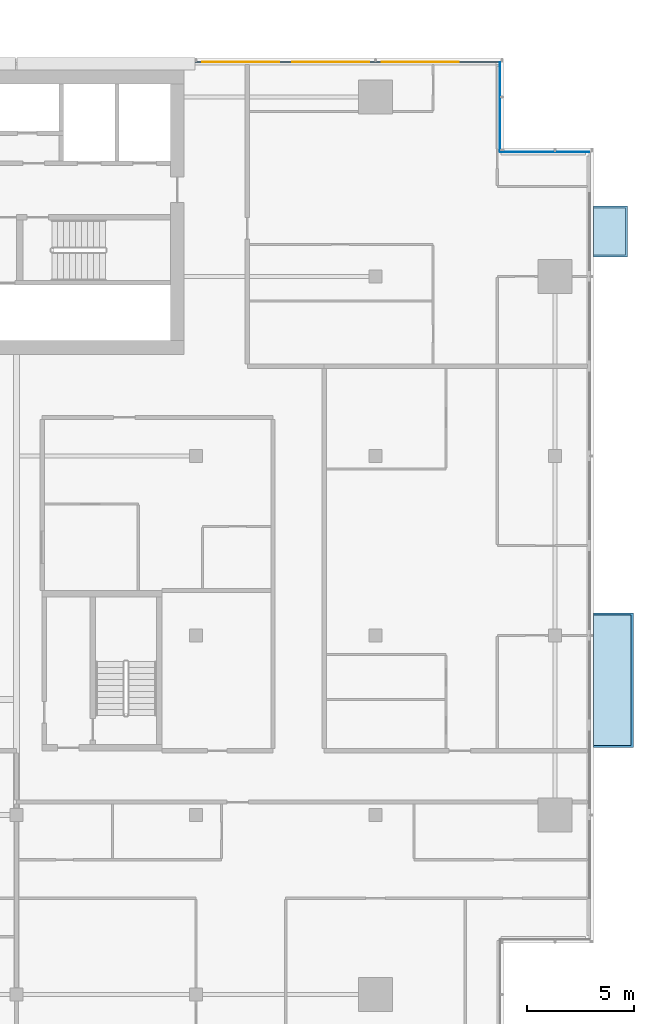
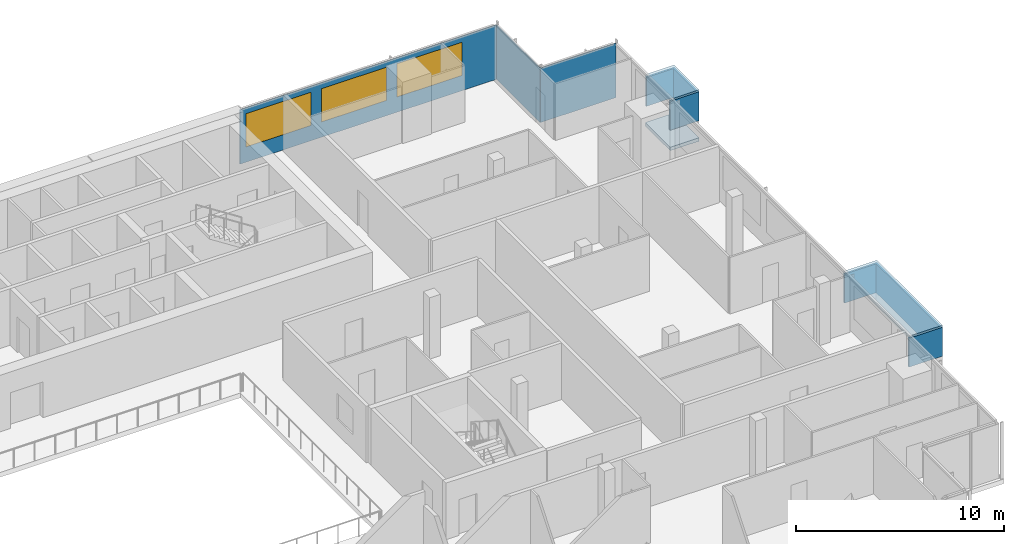
# One storey, part 16 of 27: 7 plates, 3 windows, 1 slab, 3 openings, 3 elements without a shape of their own.
"""IFC4 building model written with IfcOpenShell, lengths in metres."""

import ifcopenshell
import ifcopenshell.guid

model = None  # the IFC model being written
_history = None  # IfcOwnerHistory: only IFC2X3 demands one
_inside = {}  # id of a spatial element -> (the spatial element, [elements in it])
_under = {}  # id of a project, library or spatial element -> (it, [spatial elements below it])
_declared = {}  # id of a project -> (the project, [libraries it declares])
_typed = {}  # id of a type object -> (the type object, [elements of that type])
_made_of = {}  # id of a material, layer set ... -> (it, [elements and type objects made of it])


def new_model(schema):
    """Start an empty IFC model of exactly this schema.

    Asked for "IFC4X3", IfcOpenShell would pick the latest addendum, in which some entities
    have other attributes; the version numbers below select the first issue.
    IFC2X3 requires an IfcOwnerHistory on every rooted entity: one is made here for all.
    """
    global model, _history
    if schema == "IFC4X3":
        model = ifcopenshell.file(schema_version=(4, 3, 0, 0))
    else:
        model = ifcopenshell.file(schema=schema)
    _inside.clear()
    _under.clear()
    _declared.clear()
    _typed.clear()
    _made_of.clear()
    _history = None
    if model.schema == "IFC2X3":
        org = make("IfcOrganization", Name="unknown")
        user = make(
            "IfcPersonAndOrganization",
            ThePerson=make("IfcPerson", FamilyName="unknown"),
            TheOrganization=org,
        )
        app = make(
            "IfcApplication",
            ApplicationDeveloper=org,
            Version="unknown",
            ApplicationFullName="unknown",
            ApplicationIdentifier="unknown",
        )
        _history = make(
            "IfcOwnerHistory",
            OwningUser=user,
            OwningApplication=app,
            ChangeAction="ADDED",
            CreationDate=0,
        )
    return model


def make(cls, **values):
    """One entity of the class cls with the attributes given. An attribute that is None is left unset."""
    return model.create_entity(
        cls, **{name: value for name, value in values.items() if value is not None}
    )


def rooted(cls, **values):
    """An entity with a GlobalId (a new one), such as an element, a storey or a relation."""
    return make(cls, GlobalId=ifcopenshell.guid.new(), OwnerHistory=_history, **values)


def si_unit(unit_type, name, prefix=None):
    """IfcSIUnit, for example si_unit("LENGTHUNIT", "METRE", prefix="MILLI")."""
    return make("IfcSIUnit", UnitType=unit_type, Prefix=prefix, Name=name)


def assignment(units):
    """IfcUnitAssignment: the units of a project."""
    return None if units is None else make("IfcUnitAssignment", Units=units)


def point(xyz):
    """IfcCartesianPoint."""
    return None if xyz is None else make("IfcCartesianPoint", Coordinates=xyz)


def direction(xyz):
    """IfcDirection."""
    return None if xyz is None else make("IfcDirection", DirectionRatios=xyz)


def frame(location, z_axis=None, x_axis=None):
    """IfcAxis2Placement3D, a coordinate frame: its origin and axes. An axis left out is left unset."""
    return make(
        "IfcAxis2Placement3D",
        Location=point(location),
        Axis=direction(z_axis),
        RefDirection=direction(x_axis),
    )


def frame_2d(location, x_axis=None):
    """IfcAxis2Placement2D, a coordinate frame in the plane: its origin and x axis."""
    return make(
        "IfcAxis2Placement2D", Location=point(location), RefDirection=direction(x_axis)
    )


def origin():
    """The frame at (0, 0, 0) with its axes left unset."""
    return frame((0.0, 0.0, 0.0))


def place(relative_to, where):
    """IfcLocalPlacement: puts the frame where relative to a parent placement (None: the world)."""
    return make(
        "IfcLocalPlacement", PlacementRelTo=relative_to, RelativePlacement=where
    )


def context(
    kind, dimensions, precision=None, world=None, true_north=None, identifier=None
):
    """IfcGeometricRepresentationContext, for example the 3D "Model" context."""
    return make(
        "IfcGeometricRepresentationContext",
        ContextIdentifier=identifier,
        ContextType=kind,
        CoordinateSpaceDimension=dimensions,
        Precision=precision,
        WorldCoordinateSystem=world,
        TrueNorth=true_north,
    )


def subcontext(parent, identifier, kind, view, scale=None):
    """IfcGeometricRepresentationSubContext, for example "Body" below "Model"."""
    return make(
        "IfcGeometricRepresentationSubContext",
        ContextIdentifier=identifier,
        ContextType=kind,
        ParentContext=parent,
        TargetScale=scale,
        TargetView=view,
    )


def project(units=None, contexts=None):
    """IfcProject with its units and contexts."""
    return rooted(
        "IfcProject",
        Name="project",
        RepresentationContexts=contexts,
        UnitsInContext=assignment(units),
    )


def spatial(cls, under=None, at=None, **own):
    """A site, building, storey or space (cls), placed at a placement, below another one or the project."""
    s = rooted(cls, ObjectPlacement=at, **own)
    if under is not None:
        _under.setdefault(under.id(), (under, []))[1].append(s)
    return s


def polyline(points):
    """IfcPolyline through the points."""
    return make("IfcPolyline", Points=[point(p) for p in points])


def profile(cls, at=None, kind="AREA", **sizes):
    """A parametric profile (cls). Its sizes go by their IFC names, for example OverallWidth=200.0."""
    return make(cls, ProfileType=kind, Position=at, **sizes)


def rectangle(**sizes):
    """IfcRectangleProfileDef."""
    return profile("IfcRectangleProfileDef", **sizes)


def outline(outer, holes=None, kind="AREA"):
    """IfcArbitraryClosedProfileDef: a profile drawn as a closed curve; with holes, ...WithVoids."""
    if holes is None:
        return make("IfcArbitraryClosedProfileDef", ProfileType=kind, OuterCurve=outer)
    return make(
        "IfcArbitraryProfileDefWithVoids",
        ProfileType=kind,
        OuterCurve=outer,
        InnerCurves=holes,
    )


def extrude(swept, where, along, depth):
    """IfcExtrudedAreaSolid: the profile swept, set in the frame where, extruded along a direction by depth."""
    return make(
        "IfcExtrudedAreaSolid",
        SweptArea=swept,
        Position=where,
        ExtrudedDirection=direction(along),
        Depth=depth,
    )


def shape(context_of_items, identifier, shape_type, items):
    """IfcShapeRepresentation: the items that make up one representation, for example the "Body"."""
    return make(
        "IfcShapeRepresentation",
        ContextOfItems=context_of_items,
        RepresentationIdentifier=identifier,
        RepresentationType=shape_type,
        Items=items,
    )


def material(Name=None, Category=None):
    """IfcMaterial."""
    return make("IfcMaterial", Name=Name, Category=Category)


def layer(
    of_material, thickness, ventilated=None, Name=None, Category=None, Priority=None
):
    """IfcMaterialLayer: one layer of a wall or slab, of a material (None: an air gap)."""
    return make(
        "IfcMaterialLayer",
        Material=of_material,
        LayerThickness=thickness,
        IsVentilated=ventilated,
        Name=Name,
        Category=Category,
        Priority=Priority,
    )


def layer_set(layers, Name=None):
    """IfcMaterialLayerSet."""
    return make("IfcMaterialLayerSet", MaterialLayers=layers, LayerSetName=Name)


def made_of(thing, what):
    """Note that an element or type object is made of a material, layer set ...; save() writes the relation."""
    if what is not None:
        _made_of.setdefault(what.id(), (what, []))[1].append(thing)
    return thing


def type_object(cls, material=None, **own):
    """A type object (cls), such as IfcWallType, which elements share."""
    return made_of(rooted(cls, **own), material)


def element(
    cls,
    number,
    at=None,
    inside=None,
    cuts=None,
    type_object=None,
    material=None,
    context=None,
    identifier="Body",
    shape_type=None,
    held_by="IfcProductDefinitionShape",
    body=None,
    shapes=None,
    **own,
):
    """One element of the class cls, such as IfcWall. Its Tag is "e" and its number.

    at: its placement. inside: the storey or other place that contains it. cuts: it is an
    opening in that element (IfcRelVoidsElement). A single representation is given by context,
    identifier, shape_type and body (its items); several are given by shapes. held_by: the class
    of the entity that holds the representations. save() writes the other relations.
    """
    e = rooted(cls, Tag="e%d" % number, ObjectPlacement=at, **own)
    if body is not None:
        shapes = [shape(context, identifier, shape_type, body)]
    if shapes is not None:
        e.Representation = make(held_by, Representations=shapes)
    if inside is not None:
        _inside.setdefault(inside.id(), (inside, []))[1].append(e)
    if cuts is not None:
        rooted(
            "IfcRelVoidsElement", RelatingBuildingElement=cuts, RelatedOpeningElement=e
        )
    if type_object is not None:
        _typed.setdefault(type_object.id(), (type_object, []))[1].append(e)
    return made_of(e, material)


def fill(opening, filler):
    """IfcRelFillsElement: the door or window that sits in an opening."""
    return rooted(
        "IfcRelFillsElement",
        RelatingOpeningElement=opening,
        RelatedBuildingElement=filler,
    )


def aggregate(whole, parts):
    """IfcRelAggregates: a whole, such as a stair, and the parts it consists of."""
    return rooted("IfcRelAggregates", RelatingObject=whole, RelatedObjects=parts)


def save(model, path):
    """Write the relations noted so far, then the file.

    IfcRelAggregates (storeys below a building ...), IfcRelContainedInSpatialStructure (elements
    in a storey), IfcRelDefinesByType, IfcRelAssociatesMaterial and IfcRelDeclares: one each for
    every whole, place, type object, material and project.
    """
    for whole, parts in _under.values():
        aggregate(whole, parts)
    for where, things in _inside.values():
        rooted(
            "IfcRelContainedInSpatialStructure",
            RelatedElements=things,
            RelatingStructure=where,
        )
    for kind, things in _typed.values():
        rooted("IfcRelDefinesByType", RelatedObjects=things, RelatingType=kind)
    for what, things in _made_of.values():
        rooted("IfcRelAssociatesMaterial", RelatedObjects=things, RelatingMaterial=what)
    for by, libraries in _declared.values():
        rooted("IfcRelDeclares", RelatingContext=by, RelatedDefinitions=libraries)
    model.write(path)


model = new_model("IFC4")

# Units and contexts
model_context = context("Model", 3, precision=1e-05, world=origin(), true_north=direction((0.0, 1.0)))
body_context = subcontext(model_context, "Body", "Model", "MODEL_VIEW")
ifc_project = project(units=[si_unit("LENGTHUNIT", "METRE"), si_unit("AREAUNIT", "SQUARE_METRE"), si_unit("VOLUMEUNIT", "CUBIC_METRE"), si_unit("PLANEANGLEUNIT", "RADIAN"), si_unit("MASSUNIT", "GRAM", prefix="KILO")], contexts=[model_context])

# Site, building, storey
site_placement = place(None, origin())
site = spatial("IfcSite", under=ifc_project, at=site_placement, CompositionType="ELEMENT")
building_placement = place(site_placement, origin())
building = spatial("IfcBuilding", under=site, at=building_placement, Name="Saffron Gate Tower", CompositionType="ELEMENT")
storey_placement = place(building_placement, frame((0.0, 0.0, 234.300048828125)))
storey = spatial("IfcBuildingStorey", under=building, at=storey_placement, Name="L57", CompositionType="ELEMENT", Elevation=234.300048828125)

# Curtain wall, plate, openings, windows
ifc_material_1 = material(Name="Aluminium, bronze anodised", Category="aluminium")
curtain_wall_type_1 = type_object("IfcCurtainWallType", Name="CWS3 curtain wall rear facade", PredefinedType="NOTDEFINED", material=ifc_material_1)
curtain_wall_1_placement = place(storey_placement, origin())
curtain_wall_1 = element("IfcCurtainWall", 1, at=curtain_wall_1_placement, inside=storey, type_object=curtain_wall_type_1, Name="CWS3 run 7", PredefinedType="NOTDEFINED")
ifc_material_2 = material(Name="Fritted grey-tinted laminated glass", Category="glass")
ifc_layer_1 = layer(ifc_material_2, 0.028076171875)
ifc_layer_set_1 = layer_set([ifc_layer_1], Name="CWS3 fixed glass")
plate_type_1 = type_object("IfcPlateType", Name="CWS3 fixed glass", PredefinedType="CURTAIN_PANEL", material=ifc_layer_set_1)
plate_1_placement = place(storey_placement, frame((122.81201171875, 75.426025390625, 0.0), z_axis=(0.0, 0.0, 1.0), x_axis=(-1.0, 0.0, 0.0)))
plate_1 = element("IfcPlate", 2, at=plate_1_placement, type_object=plate_type_1, Name="CWS3 glass panel", PredefinedType="CURTAIN_PANEL", context=body_context, shape_type="SweptSolid", body=[
    extrude(rectangle(XDim=14.2470703125, YDim=0.028076171875, at=frame_2d((7.12353515625, 0.0))), origin(), (0.0, 0.0, 1.0), 3.199951171875),
])
opening_1_placement = place(plate_1_placement, frame((1.912109375, 0.0, 0.89990234375)))
opening_1 = element("IfcOpeningElement", 3, at=opening_1_placement, cuts=plate_1, Name="Opening W1", PredefinedType="OPENING", context=body_context, shape_type="SweptSolid", body=[
    extrude(rectangle(XDim=3.60009765625, YDim=1.949951171875, at=frame_2d((1.800048828125, 0.97509765625))), frame((0.0, 0.02392578125, 0.0), z_axis=(0.0, -1.0, 0.0), x_axis=(1.0, 0.0, 0.0)), (0.0, 0.0, 1.0), 0.048095703125),
])
opening_2_placement = place(plate_1_placement, frame((6.112060546875, 0.0, 0.89990234375)))
opening_2 = element("IfcOpeningElement", 4, at=opening_2_placement, cuts=plate_1, Name="Opening W1", PredefinedType="OPENING", context=body_context, shape_type="SweptSolid", body=[
    extrude(rectangle(XDim=3.60009765625, YDim=1.949951171875, at=frame_2d((1.800048828125, 0.97509765625))), frame((0.0, 0.02392578125, 0.0), z_axis=(0.0, -1.0, 0.0), x_axis=(1.0, 0.0, 0.0)), (0.0, 0.0, 1.0), 0.048095703125),
])
opening_3_placement = place(plate_1_placement, frame((10.31201171875, 0.0, 0.89990234375)))
opening_3 = element("IfcOpeningElement", 5, at=opening_3_placement, cuts=plate_1, Name="Opening W1", PredefinedType="OPENING", context=body_context, shape_type="SweptSolid", body=[
    extrude(rectangle(XDim=3.60009765625, YDim=1.949951171875, at=frame_2d((1.800048828125, 0.97509765625))), frame((0.0, 0.02392578125, 0.0), z_axis=(0.0, -1.0, 0.0), x_axis=(1.0, 0.0, 0.0)), (0.0, 0.0, 1.0), 0.048095703125),
])
ifc_material_3 = material(Name="Fritted bronze-tinted laminated glass in bronze frame", Category="glass")
ifc_layer_2 = layer(ifc_material_3, 0.06005859375)
ifc_layer_set_2 = layer_set([ifc_layer_2], Name="W1 operable panel 3600x1950")
window_type = type_object("IfcWindowType", Name="W1 operable panel 3600x1950", PartitioningType="DOUBLE_PANEL_HORIZONTAL", PredefinedType="WINDOW", material=ifc_layer_set_2)
window_1_placement = place(opening_1_placement, origin())
window_1 = element("IfcWindow", 6, at=window_1_placement, type_object=window_type, Name="W1 operable panel", OverallHeight=1.949951171875, OverallWidth=3.60009765625, PartitioningType="SINGLE_PANEL", PredefinedType="WINDOW", context=body_context, shape_type="SweptSolid", body=[
    extrude(rectangle(XDim=3.60009765625, YDim=1.949951171875, at=frame_2d((1.800048828125, 0.97509765625))), frame((0.0, 0.013671875, 0.0), z_axis=(0.0, -1.0, 0.0), x_axis=(1.0, 0.0, 0.0)), (0.0, 0.0, 1.0), 0.027587890625),
])
fill(opening_1, window_1)
window_2_placement = place(opening_2_placement, origin())
window_2 = element("IfcWindow", 7, at=window_2_placement, type_object=window_type, Name="W1 operable panel", OverallHeight=1.949951171875, OverallWidth=3.60009765625, PartitioningType="SINGLE_PANEL", PredefinedType="WINDOW", context=body_context, shape_type="SweptSolid", body=[
    extrude(rectangle(XDim=3.60009765625, YDim=1.949951171875, at=frame_2d((1.800048828125, 0.97509765625))), frame((0.0, 0.013671875, 0.0), z_axis=(0.0, -1.0, 0.0), x_axis=(1.0, 0.0, 0.0)), (0.0, 0.0, 1.0), 0.027587890625),
])
fill(opening_2, window_2)
window_3_placement = place(opening_3_placement, origin())
window_3 = element("IfcWindow", 8, at=window_3_placement, type_object=window_type, Name="W1 operable panel", OverallHeight=1.949951171875, OverallWidth=3.60009765625, PartitioningType="SINGLE_PANEL", PredefinedType="WINDOW", context=body_context, shape_type="SweptSolid", body=[
    extrude(rectangle(XDim=3.60009765625, YDim=1.949951171875, at=frame_2d((1.800048828125, 0.97509765625))), frame((0.0, 0.013671875, 0.0), z_axis=(0.0, -1.0, 0.0), x_axis=(1.0, 0.0, 0.0)), (0.0, 0.0, 1.0), 0.027587890625),
])
fill(opening_3, window_3)
aggregate(curtain_wall_1, [plate_1, window_1, window_2, window_3])

# Curtain wall, plate
curtain_wall_type_2 = type_object("IfcCurtainWallType", Name="CWS4 curtain wall corner returns", PredefinedType="NOTDEFINED", material=ifc_material_1)
curtain_wall_2_placement = place(storey_placement, origin())
curtain_wall_2 = element("IfcCurtainWall", 9, at=curtain_wall_2_placement, inside=storey, type_object=curtain_wall_type_2, Name="CWS4 run 5", PredefinedType="NOTDEFINED")
ifc_material_4 = material(Name="Fritted bronze-tinted laminated glass", Category="glass")
ifc_layer_3 = layer(ifc_material_4, 0.028076171875)
ifc_layer_set_3 = layer_set([ifc_layer_3], Name="CWS4 fixed glass")
plate_type_2 = type_object("IfcPlateType", Name="CWS4 fixed glass", PredefinedType="CURTAIN_PANEL", material=ifc_layer_set_3)
plate_2_placement = place(storey_placement, frame((127.011962890625, 71.22607421875, 0.0), z_axis=(0.0, 0.0, 1.0), x_axis=(-1.0, 0.0, 0.0)))
plate_2 = element("IfcPlate", 10, at=plate_2_placement, type_object=plate_type_2, Name="CWS4 glass panel", PredefinedType="CURTAIN_PANEL", context=body_context, shape_type="SweptSolid", body=[
    extrude(rectangle(XDim=4.171875, YDim=0.028076171875, at=frame_2d((2.0859375, 0.0))), origin(), (0.0, 0.0, 1.0), 3.199951171875),
])
aggregate(curtain_wall_2, [plate_2])

curtain_wall_3_placement = place(storey_placement, origin())
curtain_wall_3 = element("IfcCurtainWall", 11, at=curtain_wall_3_placement, inside=storey, type_object=curtain_wall_type_2, Name="CWS4 run 6", PredefinedType="NOTDEFINED")
plate_3_placement = place(storey_placement, frame((122.825927734375, 71.239990234375, 0.0), z_axis=(0.0, 0.0, 1.0), x_axis=(0.0, 1.0, 0.0)))
plate_3 = element("IfcPlate", 12, at=plate_3_placement, type_object=plate_type_2, Name="CWS4 glass panel", PredefinedType="CURTAIN_PANEL", context=body_context, shape_type="SweptSolid", body=[
    extrude(rectangle(XDim=4.172119140625, YDim=0.028076171875, at=frame_2d((2.0859375, 0.0))), origin(), (0.0, 0.0, 1.0), 3.199951171875),
])
aggregate(curtain_wall_3, [plate_3])

# Slab
ifc_material_5 = material(Name="Timber deck on bronze frame", Category="wood")
ifc_layer_4 = layer(ifc_material_5, 0.199951171875)
ifc_layer_set_4 = layer_set([ifc_layer_4], Name="WB1 box floor")
slab_type = type_object("IfcSlabType", Name="WB1 box floor", PredefinedType="FLOOR", material=ifc_layer_set_4)
slab_placement = place(storey_placement, frame((0.0, 0.0, -0.199951171875)))
element("IfcSlab", 13, at=slab_placement, inside=storey, type_object=slab_type, Name="WINDOW BOX floor", PredefinedType="FLOOR", context=body_context, shape_type="SweptSolid", body=[
    extrude(outline(polyline([(127.199951171875, 66.300048828125), (127.199951171875, 68.699951171875), (128.800048828125, 68.699951171875), (128.800048828125, 66.300048828125), (127.199951171875, 66.300048828125)])), origin(), (0.0, 0.0, 1.0), 0.199951171875),
])

# Plates
ifc_layer_5 = layer(ifc_material_1, 0.1201171875)
ifc_layer_set_5 = layer_set([ifc_layer_5], Name="WB2 box roof")
plate_type_3 = type_object("IfcPlateType", Name="WB2 box roof", PredefinedType="SHEET", material=ifc_layer_set_5)
plate_4_placement = place(storey_placement, frame((0.0, 0.0, 2.699951171875)))
element("IfcPlate", 14, at=plate_4_placement, inside=storey, type_object=plate_type_3, Name="WINDOW BOX roof", PredefinedType="SHEET", context=body_context, shape_type="SweptSolid", body=[
    extrude(outline(polyline([(127.199951171875, 43.35009765625), (127.199951171875, 49.64990234375), (129.06689453125, 49.64990234375), (129.06689453125, 43.35009765625), (127.199951171875, 43.35009765625)])), origin(), (0.0, 0.0, 1.0), 0.1201171875),
])
plate_5_placement = place(storey_placement, frame((0.0, 0.0, 2.699951171875)))
element("IfcPlate", 15, at=plate_5_placement, inside=storey, type_object=plate_type_3, Name="WINDOW BOX roof", PredefinedType="SHEET", context=body_context, shape_type="SweptSolid", body=[
    extrude(outline(polyline([(127.199951171875, 66.300048828125), (127.199951171875, 68.699951171875), (128.800048828125, 68.699951171875), (128.800048828125, 66.300048828125), (127.199951171875, 66.300048828125)])), origin(), (0.0, 0.0, 1.0), 0.1201171875),
])
ifc_material_6 = material(Name="Clear low-iron laminated glass", Category="glass")
ifc_layer_6 = layer(ifc_material_6, 0.10009765625)
ifc_layer_set_6 = layer_set([ifc_layer_6], Name="WB6 box glazing")
plate_type_4 = type_object("IfcPlateType", Name="WB6 box glazing", PredefinedType="SHEET", material=ifc_layer_set_6)
plate_6_placement = place(storey_placement, frame((0.0, 0.0, 1.0)))
element("IfcPlate", 16, at=plate_6_placement, inside=storey, type_object=plate_type_4, Name="WINDOW BOX glazing", PredefinedType="SHEET", context=body_context, shape_type="SweptSolid", body=[
    extrude(outline(polyline([(127.199951171875, 43.35009765625), (127.199951171875, 43.449951171875), (128.967041015625, 43.449951171875), (128.967041015625, 49.550048828125), (127.199951171875, 49.550048828125), (127.199951171875, 49.64990234375), (129.06689453125, 49.64990234375), (129.06689453125, 43.35009765625), (127.199951171875, 43.35009765625)])), origin(), (0.0, 0.0, 1.0), 1.699951171875),
])
plate_7_placement = place(storey_placement, frame((0.0, 0.0, 1.0)))
element("IfcPlate", 17, at=plate_7_placement, inside=storey, type_object=plate_type_4, Name="WINDOW BOX glazing", PredefinedType="SHEET", context=body_context, shape_type="SweptSolid", body=[
    extrude(outline(polyline([(127.199951171875, 66.300048828125), (127.199951171875, 66.39990234375), (128.699951171875, 66.39990234375), (128.699951171875, 68.60009765625), (127.199951171875, 68.60009765625), (127.199951171875, 68.699951171875), (128.800048828125, 68.699951171875), (128.800048828125, 66.300048828125), (127.199951171875, 66.300048828125)])), origin(), (0.0, 0.0, 1.0), 1.699951171875),
])

save(model, "model.ifc")
